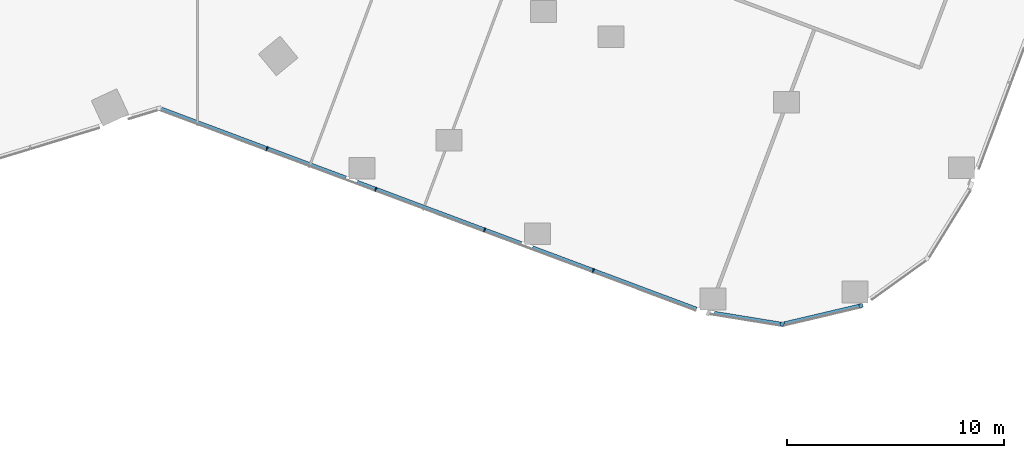
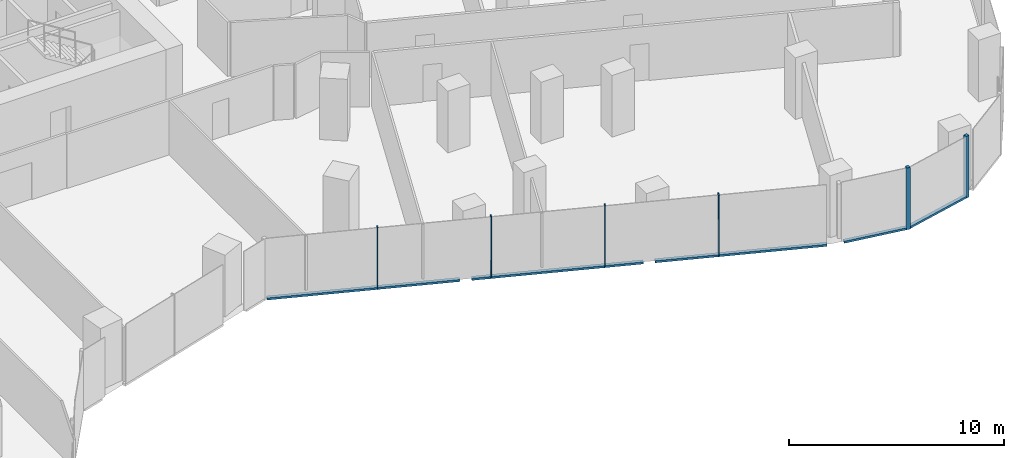
# One storey, part 8 of 31: 11 members, 3 elements without a shape of their own.
"""IFC4 building model written with IfcOpenShell, lengths in metres."""

from ifc_helpers import new_model, si_unit, direction, frame, origin, origin_2d, place, context, subcontext, project, spatial, rectangle, extrude, material, material_profile, profile_set, type_object, element, aggregate, save


model = new_model("IFC4")

# Units and contexts
model_context = context("Model", 3, precision=1e-05, world=origin(), true_north=direction((0.0, 1.0)))
body_context = subcontext(model_context, "Body", "Model", "MODEL_VIEW")
ifc_project = project(units=[si_unit("LENGTHUNIT", "METRE"), si_unit("AREAUNIT", "SQUARE_METRE"), si_unit("VOLUMEUNIT", "CUBIC_METRE"), si_unit("PLANEANGLEUNIT", "RADIAN"), si_unit("MASSUNIT", "GRAM", prefix="KILO")], contexts=[model_context])

# Site, building, storey
site_placement = place(None, origin())
site = spatial("IfcSite", under=ifc_project, at=site_placement, CompositionType="ELEMENT")
building_placement = place(site_placement, origin())
building = spatial("IfcBuilding", under=site, at=building_placement, Name="Orlundy Tower", CompositionType="ELEMENT")
storey_placement = place(building_placement, frame((0.0, 0.0, 91.199951171875)))
storey = spatial("IfcBuildingStorey", under=building, at=storey_placement, Name="L22", CompositionType="ELEMENT", Elevation=91.199951171875)

# Curtain wall, member
ifc_material_1 = material(Name="Aluminium bronze anodised", Category="aluminium")
curtain_wall_type = type_object("IfcCurtainWallType", Name="CW1 wall", PredefinedType="NOTDEFINED", material=ifc_material_1)
curtain_wall_1_placement = place(storey_placement, origin())
curtain_wall_1 = element("IfcCurtainWall", 1, at=curtain_wall_1_placement, inside=storey, type_object=curtain_wall_type, Name="CW1 run 014", PredefinedType="NOTDEFINED")
ifc_material_2 = material(Name="Aluminium bronze anodised", Category="aluminium")
ifc_material_profile_1 = material_profile(ifc_material_2, rectangle(XDim=0.179931640625, YDim=0.179931640625, at=origin_2d()), Name="CW1 corner post 180x180")
ifc_profile_set_1 = profile_set([ifc_material_profile_1], Name="Aluminium bronze anodised")
member_type_1 = type_object("IfcMemberType", Name="CW1 corner post 180x180", PredefinedType="MULLION", material=ifc_profile_set_1)
member_1_placement = place(storey_placement, frame((47.134033203125, -36.073486328125, -0.39990234375), z_axis=(0.0, 0.0, 1.0), x_axis=(0.229309985845, -0.97335344577, 0.0)))
member_1 = element("IfcMember", 2, at=member_1_placement, type_object=member_type_1, Name="CW1 mullion 42", PredefinedType="MULLION", context=body_context, shape_type="SweptSolid", body=[
    extrude(rectangle(XDim=0.179931640625, YDim=0.179931640625, at=origin_2d()), origin(), (0.0, 0.0, 1.0), 3.5),
])

curtain_wall_2_placement = place(storey_placement, origin())
curtain_wall_2 = element("IfcCurtainWall", 3, at=curtain_wall_2_placement, inside=storey, type_object=curtain_wall_type, Name="CW1 run 015", PredefinedType="NOTDEFINED")
member_2_placement = place(storey_placement, frame((43.4912109375, -36.931640625, -0.39990234375), z_axis=(0.0, 0.0, 1.0), x_axis=(-0.160767268774, -0.986992343076, 0.0)))
member_2 = element("IfcMember", 4, at=member_2_placement, type_object=member_type_1, Name="CW1 mullion 43", PredefinedType="MULLION", context=body_context, shape_type="SweptSolid", body=[
    extrude(rectangle(XDim=0.179931640625, YDim=0.179931640625, at=origin_2d()), origin(), (0.0, 0.0, 1.0), 3.5),
])

# Curtain wall, members
curtain_wall_3_placement = place(storey_placement, origin())
curtain_wall_3 = element("IfcCurtainWall", 5, at=curtain_wall_3_placement, inside=storey, type_object=curtain_wall_type, Name="CW1 run 016", PredefinedType="NOTDEFINED")
ifc_material_3 = material(Name="Aluminium bronze anodised", Category="aluminium")
ifc_material_profile_2 = material_profile(ifc_material_3, rectangle(XDim=0.179931640625, YDim=0.050048828125, at=origin_2d()), Name="CW1 mullion 50x180")
ifc_profile_set_2 = profile_set([ifc_material_profile_2], Name="Aluminium bronze anodised")
member_type_2 = type_object("IfcMemberType", Name="CW1 mullion 50x180", PredefinedType="MULLION", material=ifc_profile_set_2)
member_3_placement = place(storey_placement, frame((34.780029296875, -34.452392578125, -0.39990234375), z_axis=(0.0, 0.0, 1.0), x_axis=(-0.350219011684, -0.936667840729, 0.0)))
member_3 = element("IfcMember", 6, at=member_3_placement, type_object=member_type_2, Name="CW1 mullion 45", PredefinedType="MULLION", context=body_context, shape_type="SweptSolid", body=[
    extrude(rectangle(XDim=0.179931640625, YDim=0.050048828125, at=origin_2d()), origin(), (0.0, 0.0, 1.0), 3.5),
])
member_4_placement = place(storey_placement, frame((29.7626953125, -32.576416015625, -0.39990234375), z_axis=(0.0, 0.0, 1.0), x_axis=(-0.350219011684, -0.936667840729, 0.0)))
member_4 = element("IfcMember", 7, at=member_4_placement, type_object=member_type_2, Name="CW1 mullion 46", PredefinedType="MULLION", context=body_context, shape_type="SweptSolid", body=[
    extrude(rectangle(XDim=0.179931640625, YDim=0.050048828125, at=origin_2d()), origin(), (0.0, 0.0, 1.0), 3.5),
])
member_5_placement = place(storey_placement, frame((24.745361328125, -30.7001953125, -0.39990234375), z_axis=(0.0, 0.0, 1.0), x_axis=(-0.350219011684, -0.936667840729, 0.0)))
member_5 = element("IfcMember", 8, at=member_5_placement, type_object=member_type_2, Name="CW1 mullion 47", PredefinedType="MULLION", context=body_context, shape_type="SweptSolid", body=[
    extrude(rectangle(XDim=0.179931640625, YDim=0.050048828125, at=origin_2d()), origin(), (0.0, 0.0, 1.0), 3.5),
])
member_6_placement = place(storey_placement, frame((19.727783203125, -28.82421875, -0.39990234375), z_axis=(0.0, 0.0, 1.0), x_axis=(-0.350219011684, -0.936667840729, 0.0)))
member_6 = element("IfcMember", 9, at=member_6_placement, type_object=member_type_2, Name="CW1 mullion 48", PredefinedType="MULLION", context=body_context, shape_type="SweptSolid", body=[
    extrude(rectangle(XDim=0.179931640625, YDim=0.050048828125, at=origin_2d()), origin(), (0.0, 0.0, 1.0), 3.5),
])

# Member
ifc_material_4 = material(Name="Aluminium bronze anodised", Category="aluminium")
ifc_material_profile_3 = material_profile(ifc_material_4, rectangle(XDim=0.179931640625, YDim=0.1201171875, at=origin_2d()), Name="CW1 transom 180x120")
ifc_profile_set_3 = profile_set([ifc_material_profile_3], Name="Aluminium bronze anodised")
member_type_3 = type_object("IfcMemberType", Name="CW1 transom 180x120", PredefinedType="USERDEFINED", material=ifc_profile_set_3)
member_7_placement = place(storey_placement, frame((47.04638671875, -36.09423828125, -0.33984375), z_axis=(-0.973356793262, -0.22929577626, 0.0), x_axis=(0.22929577626, -0.973356793262, 0.0)))
member_7 = element("IfcMember", 10, at=member_7_placement, type_object=member_type_3, Name="CW1 transom", ObjectType="TRANSOM", PredefinedType="USERDEFINED", context=body_context, shape_type="SweptSolid", body=[
    extrude(rectangle(XDim=0.179931640625, YDim=0.1201171875, at=origin_2d()), origin(), (0.0, 0.0, 1.0), 3.55517578125),
])

aggregate(curtain_wall_1, [member_1, member_7])

member_8_placement = place(storey_placement, frame((43.40234375, -36.917236328125, -0.33984375), z_axis=(-0.986988010756, 0.160793863761, 0.0), x_axis=(-0.160793863761, -0.986988010756, 0.0)))
member_8 = element("IfcMember", 11, at=member_8_placement, type_object=member_type_3, Name="CW1 transom", ObjectType="TRANSOM", PredefinedType="USERDEFINED", context=body_context, shape_type="SweptSolid", body=[
    extrude(rectangle(XDim=0.179931640625, YDim=0.1201171875, at=origin_2d()), origin(), (0.0, 0.0, 1.0), 3.0869140625),
])

aggregate(curtain_wall_2, [member_2, member_8])

member_9_placement = place(storey_placement, frame((39.541015625, -36.232421875, -0.33984375), z_axis=(-0.936672607981, 0.350206261306, 0.0), x_axis=(-0.350206261306, -0.936672607981, 0.0)))
member_9 = element("IfcMember", 12, at=member_9_placement, type_object=member_type_3, Name="CW1 transom", ObjectType="TRANSOM", PredefinedType="USERDEFINED", context=body_context, shape_type="SweptSolid", body=[
    extrude(rectangle(XDim=0.179931640625, YDim=0.1201171875, at=origin_2d()), origin(), (0.0, 0.0, 1.0), 8.081787109375),
])

member_10_placement = place(storey_placement, frame((31.452880859375, -33.208251953125, -0.33984375), z_axis=(-0.936665197562, 0.350226080804, 0.0), x_axis=(-0.350226080804, -0.936665197562, 0.0)))
member_10 = element("IfcMember", 13, at=member_10_placement, type_object=member_type_3, Name="CW1 transom", ObjectType="TRANSOM", PredefinedType="USERDEFINED", context=body_context, shape_type="SweptSolid", body=[
    extrude(rectangle(XDim=0.179931640625, YDim=0.1201171875, at=origin_2d()), origin(), (0.0, 0.0, 1.0), 8.081298828125),
])

member_11_placement = place(storey_placement, frame((23.365966796875, -30.1845703125, -0.33984375), z_axis=(-0.936668450317, 0.350217381323, 0.0), x_axis=(-0.350217381323, -0.936668450317, 0.0)))
member_11 = element("IfcMember", 14, at=member_11_placement, type_object=member_type_3, Name="CW1 transom", ObjectType="TRANSOM", PredefinedType="USERDEFINED", context=body_context, shape_type="SweptSolid", body=[
    extrude(rectangle(XDim=0.179931640625, YDim=0.1201171875, at=origin_2d()), origin(), (0.0, 0.0, 1.0), 9.0966796875),
])

aggregate(curtain_wall_3, [member_3, member_4, member_5, member_6, member_9, member_10, member_11])

save(model, "model.ifc")
